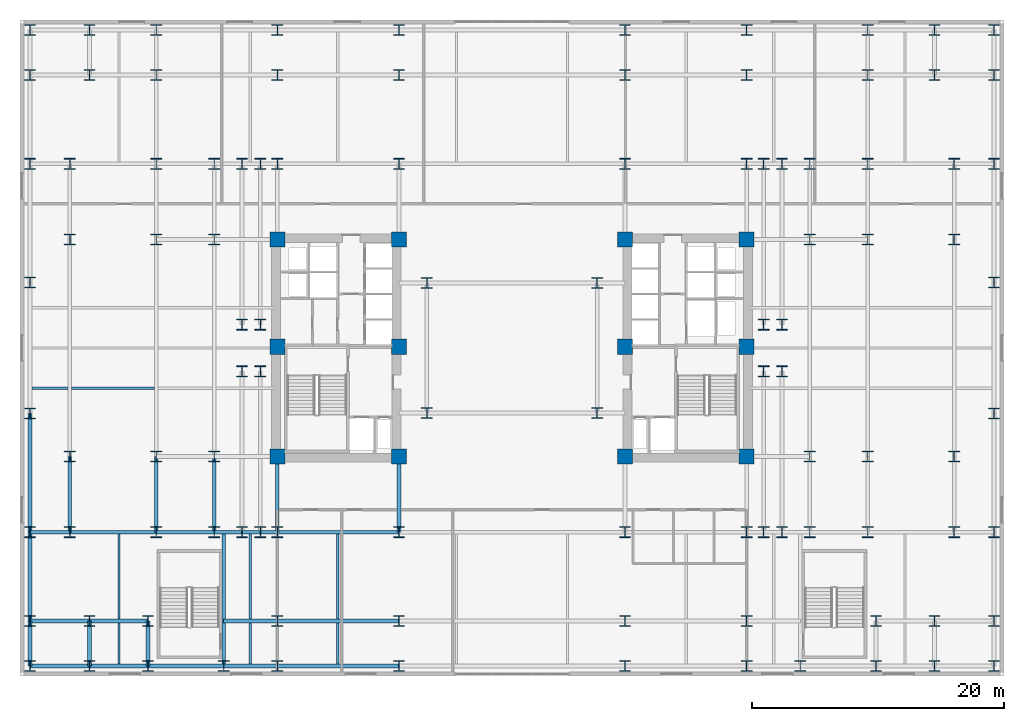
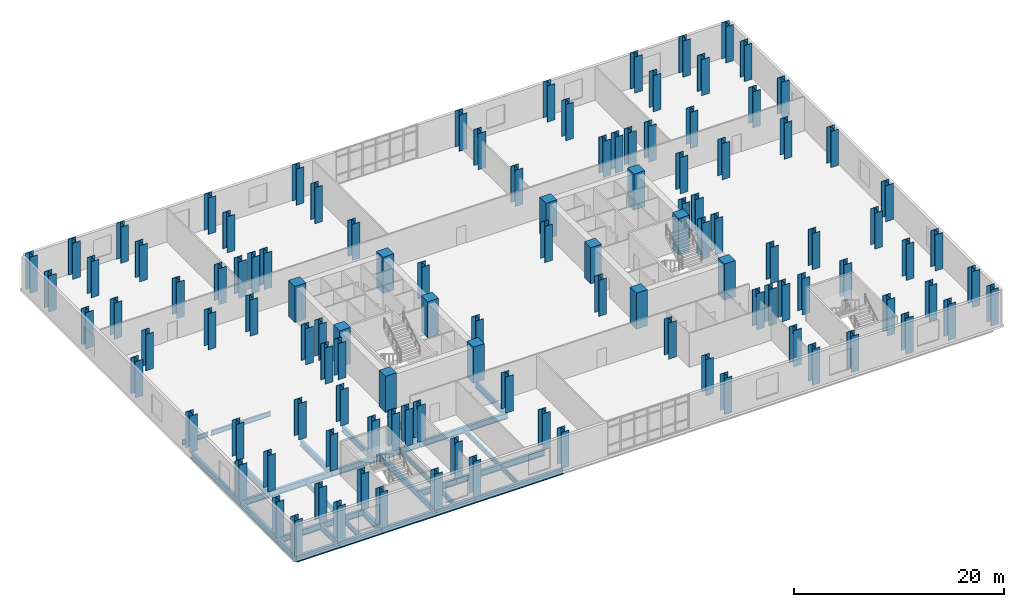
# One storey, part 1 of 13: 114 columns, 33 beams.
"""IFC4 building model written with IfcOpenShell, lengths in metres."""

from ifc_helpers import new_model, si_unit, direction, frame, origin, origin_2d, place, context, subcontext, project, spatial, rectangle, i_section, extrude, material, material_profile, profile_set, type_object, element, save


model = new_model("IFC4")

# Units and contexts
model_context = context("Model", 3, precision=1e-05, world=origin(), true_north=direction((0.0, 1.0)))
body_context = subcontext(model_context, "Body", "Model", "MODEL_VIEW")
ifc_project = project(units=[si_unit("LENGTHUNIT", "METRE"), si_unit("AREAUNIT", "SQUARE_METRE"), si_unit("VOLUMEUNIT", "CUBIC_METRE"), si_unit("PLANEANGLEUNIT", "RADIAN"), si_unit("MASSUNIT", "GRAM", prefix="KILO")], contexts=[model_context])

# Site, building, storey
site_placement = place(None, origin())
site = spatial("IfcSite", under=ifc_project, at=site_placement, CompositionType="ELEMENT")
building_placement = place(site_placement, origin())
building = spatial("IfcBuilding", under=site, at=building_placement, Name="Velakula Bourse", CompositionType="ELEMENT")
storey_placement = place(building_placement, frame((0.0, 0.0, 18.60009765625)))
storey = spatial("IfcBuildingStorey", under=building, at=storey_placement, Name="L04", CompositionType="ELEMENT", Elevation=18.60009765625)

# Columns
ifc_material_1 = material(Name="Concrete M70 (fck 70 MPa)", Category="concrete")
ifc_material_profile_1 = material_profile(ifc_material_1, rectangle(XDim=1.199951171875, YDim=1.199951171875, at=origin_2d()), Name="Concrete M70 (fck 70 MPa)")
ifc_profile_set_1 = profile_set([ifc_material_profile_1], Name="Concrete M70 (fck 70 MPa)")
column_type_1 = type_object("IfcColumnType", Name="COL-RC-1200", PredefinedType="COLUMN", material=ifc_profile_set_1)
for number, where, z_axis, x_axis, name in (
    (1, (-8.949951171875, -8.60009765625, 0.0), (0.0, 0.0, 1.0), (1.0, 0.0, 0.0), "L04 Core Boundary Column 01"),
    (2, (-8.949951171875, 0.10009765625, 0.0), (0.0, 0.0, 1.0), (1.0, 0.0, 0.0), "L04 Core Boundary Column 02"),
    (3, (-8.949951171875, 8.60009765625, 0.0), (0.0, 0.0, 1.0), (1.0, 0.0, 0.0), "L04 Core Boundary Column 03"),
    (4, (-18.60009765625, -8.60009765625, 0.0), (0.0, 0.0, 1.0), (1.0, 0.0, 0.0), "L04 Core Boundary Column 04"),
    (5, (-18.60009765625, 0.10009765625, 0.0), (0.0, 0.0, 1.0), (1.0, 0.0, 0.0), "L04 Core Boundary Column 05"),
    (6, (-18.60009765625, 8.60009765625, 0.0), (0.0, 0.0, 1.0), (1.0, 0.0, 0.0), "L04 Core Boundary Column 06"),
    (7, (8.949951171875, -8.60009765625, 0.0), (0.0, 0.0, 1.0), (1.0, 0.0, 0.0), "L04 Core Boundary Column 07"),
    (8, (8.949951171875, 0.10009765625, 0.0), (0.0, 0.0, 1.0), (1.0, 0.0, 0.0), "L04 Core Boundary Column 08"),
    (9, (8.949951171875, 8.60009765625, 0.0), (0.0, 0.0, 1.0), (1.0, 0.0, 0.0), "L04 Core Boundary Column 09"),
    (10, (18.60009765625, -8.60009765625, 0.0), (0.0, 0.0, 1.0), (1.0, 0.0, 0.0), "L04 Core Boundary Column 10"),
    (11, (18.60009765625, 0.10009765625, 0.0), (0.0, 0.0, 1.0), (1.0, 0.0, 0.0), "L04 Core Boundary Column 11"),
    (12, (18.60009765625, 8.60009765625, 0.0), (0.0, 0.0, 1.0), (1.0, 0.0, 0.0), "L04 Core Boundary Column 12"),
):
    element("IfcColumn", number, at=place(storey_placement, frame(where, z_axis=z_axis, x_axis=x_axis)), inside=storey, type_object=column_type_1, Name=name, PredefinedType="COLUMN", context=body_context, shape_type="SweptSolid", body=[
        extrude(rectangle(XDim=1.199951171875, YDim=1.199951171875, at=origin_2d()), origin(), (0.0, 0.0, 1.0), 4.199951171875),
    ])
ifc_material_2 = material(Name="Steel IS 2062 Grade 450 (E450)", Category="steel")
ifc_material_profile_2 = material_profile(ifc_material_2, i_section(OverallWidth=0.85009765625, OverallDepth=0.85009765625, WebThickness=0.031982421875, FlangeThickness=0.048095703125, at=origin_2d()), Name="Steel IS 2062 Grade 450 (E450)")
ifc_profile_set_2 = profile_set([ifc_material_profile_2], Name="Steel IS 2062 Grade 450 (E450)")
column_type_2 = type_object("IfcColumnType", Name="COL-STL-850", PredefinedType="COLUMN", material=ifc_profile_set_2)
for number, where, z_axis, x_axis, name in (
    (13, (-6.75, -5.14990234375, 0.0), (0.0, 0.0, 1.0), (1.0, 0.0, 0.0), "L04 Central Spine Column 01"),
    (14, (-6.75, 5.14990234375, 0.0), (0.0, 0.0, 1.0), (1.0, 0.0, 0.0), "L04 Central Spine Column 02"),
    (15, (6.75, -5.14990234375, 0.0), (0.0, 0.0, 1.0), (1.0, 0.0, 0.0), "L04 Central Spine Column 03"),
    (16, (6.75, 5.14990234375, 0.0), (0.0, 0.0, 1.0), (1.0, 0.0, 0.0), "L04 Central Spine Column 04"),
    (17, (-21.39990234375, -14.60009765625, 0.0), (0.0, 0.0, 1.0), (1.0, 0.0, 0.0), "L04 Tower Fulcrum Column 01"),
    (18, (-21.39990234375, 14.60009765625, 0.0), (0.0, 0.0, 1.0), (1.0, 0.0, 0.0), "L04 Tower Fulcrum Column 02"),
    (19, (-19.949951171875, -14.60009765625, 0.0), (0.0, 0.0, 1.0), (1.0, 0.0, 0.0), "L04 Tower Fulcrum Column 03"),
    (20, (-19.949951171875, 14.60009765625, 0.0), (0.0, 0.0, 1.0), (1.0, 0.0, 0.0), "L04 Tower Fulcrum Column 04"),
    (21, (-18.60009765625, -14.60009765625, 0.0), (0.0, 0.0, 1.0), (1.0, 0.0, 0.0), "L04 Tower Fulcrum Column 05"),
    (22, (-18.60009765625, 14.60009765625, 0.0), (0.0, 0.0, 1.0), (1.0, 0.0, 0.0), "L04 Tower Fulcrum Column 06"),
    (23, (-8.949951171875, -14.60009765625, 0.0), (0.0, 0.0, 1.0), (1.0, 0.0, 0.0), "L04 Tower Fulcrum Column 07"),
    (24, (-8.949951171875, 14.60009765625, 0.0), (0.0, 0.0, 1.0), (1.0, 0.0, 0.0), "L04 Tower Fulcrum Column 08"),
    (25, (8.949951171875, -14.60009765625, 0.0), (0.0, 0.0, 1.0), (1.0, 0.0, 0.0), "L04 Tower Fulcrum Column 09"),
    (26, (8.949951171875, 14.60009765625, 0.0), (0.0, 0.0, 1.0), (1.0, 0.0, 0.0), "L04 Tower Fulcrum Column 10"),
    (27, (18.60009765625, -14.60009765625, 0.0), (0.0, 0.0, 1.0), (1.0, 0.0, 0.0), "L04 Tower Fulcrum Column 11"),
    (28, (18.60009765625, 14.60009765625, 0.0), (0.0, 0.0, 1.0), (1.0, 0.0, 0.0), "L04 Tower Fulcrum Column 12"),
    (29, (19.949951171875, -14.60009765625, 0.0), (0.0, 0.0, 1.0), (1.0, 0.0, 0.0), "L04 Tower Fulcrum Column 13"),
    (30, (19.949951171875, 14.60009765625, 0.0), (0.0, 0.0, 1.0), (1.0, 0.0, 0.0), "L04 Tower Fulcrum Column 14"),
    (31, (21.39990234375, -14.60009765625, 0.0), (0.0, 0.0, 1.0), (1.0, 0.0, 0.0), "L04 Tower Fulcrum Column 15"),
    (32, (21.39990234375, 14.60009765625, 0.0), (0.0, 0.0, 1.0), (1.0, 0.0, 0.0), "L04 Tower Fulcrum Column 16"),
    (33, (-21.39990234375, -1.85009765625, 0.0), (0.0, 0.0, 1.0), (1.0, 0.0, 0.0), "L04 Tower Fulcrum Column 17"),
    (34, (-21.39990234375, 1.85009765625, 0.0), (0.0, 0.0, 1.0), (1.0, 0.0, 0.0), "L04 Tower Fulcrum Column 18"),
    (35, (-19.949951171875, -1.85009765625, 0.0), (0.0, 0.0, 1.0), (1.0, 0.0, 0.0), "L04 Tower Fulcrum Column 19"),
    (36, (-19.949951171875, 1.85009765625, 0.0), (0.0, 0.0, 1.0), (1.0, 0.0, 0.0), "L04 Tower Fulcrum Column 20"),
    (37, (19.949951171875, -1.85009765625, 0.0), (0.0, 0.0, 1.0), (1.0, 0.0, 0.0), "L04 Tower Fulcrum Column 21"),
    (38, (19.949951171875, 1.85009765625, 0.0), (0.0, 0.0, 1.0), (1.0, 0.0, 0.0), "L04 Tower Fulcrum Column 22"),
    (39, (21.39990234375, -1.85009765625, 0.0), (0.0, 0.0, 1.0), (1.0, 0.0, 0.0), "L04 Tower Fulcrum Column 23"),
    (40, (21.39990234375, 1.85009765625, 0.0), (0.0, 0.0, 1.0), (1.0, 0.0, 0.0), "L04 Tower Fulcrum Column 24"),
    (41, (-23.60009765625, -14.60009765625, 0.0), (0.0, 0.0, 1.0), (1.0, 0.0, 0.0), "L04 Mid-Wing Plumb Column 01"),
    (42, (-23.60009765625, -8.60009765625, 0.0), (0.0, 0.0, 1.0), (1.0, 0.0, 0.0), "L04 Mid-Wing Plumb Column 02"),
    (43, (-23.60009765625, 8.60009765625, 0.0), (0.0, 0.0, 1.0), (1.0, 0.0, 0.0), "L04 Mid-Wing Plumb Column 03"),
    (44, (-23.60009765625, 14.60009765625, 0.0), (0.0, 0.0, 1.0), (1.0, 0.0, 0.0), "L04 Mid-Wing Plumb Column 04"),
    (45, (23.60009765625, -14.60009765625, 0.0), (0.0, 0.0, 1.0), (1.0, 0.0, 0.0), "L04 Mid-Wing Plumb Column 05"),
    (46, (23.60009765625, -8.60009765625, 0.0), (0.0, 0.0, 1.0), (1.0, 0.0, 0.0), "L04 Mid-Wing Plumb Column 06"),
    (47, (23.60009765625, 8.60009765625, 0.0), (0.0, 0.0, 1.0), (1.0, 0.0, 0.0), "L04 Mid-Wing Plumb Column 07"),
    (48, (23.60009765625, 14.60009765625, 0.0), (0.0, 0.0, 1.0), (1.0, 0.0, 0.0), "L04 Mid-Wing Plumb Column 08"),
    (49, (-28.199951171875, -14.60009765625, 0.0), (0.0, 0.0, 1.0), (1.0, 0.0, 0.0), "L04 Lower Wing Column 01"),
    (50, (-28.199951171875, -8.60009765625, 0.0), (0.0, 0.0, 1.0), (1.0, 0.0, 0.0), "L04 Lower Wing Column 02"),
    (51, (-28.199951171875, 8.60009765625, 0.0), (0.0, 0.0, 1.0), (1.0, 0.0, 0.0), "L04 Lower Wing Column 03"),
    (52, (-28.199951171875, 14.60009765625, 0.0), (0.0, 0.0, 1.0), (1.0, 0.0, 0.0), "L04 Lower Wing Column 04"),
    (53, (28.199951171875, -14.60009765625, 0.0), (0.0, 0.0, 1.0), (1.0, 0.0, 0.0), "L04 Lower Wing Column 05"),
    (54, (28.199951171875, -8.60009765625, 0.0), (0.0, 0.0, 1.0), (1.0, 0.0, 0.0), "L04 Lower Wing Column 06"),
    (55, (28.199951171875, 8.60009765625, 0.0), (0.0, 0.0, 1.0), (1.0, 0.0, 0.0), "L04 Lower Wing Column 07"),
    (56, (28.199951171875, 14.60009765625, 0.0), (0.0, 0.0, 1.0), (1.0, 0.0, 0.0), "L04 Lower Wing Column 08"),
    (57, (-35.050048828125, -14.60009765625, 0.0), (0.0, 0.0, 1.0), (1.0, 0.0, 0.0), "L04 Station Podium Grid Column 01"),
    (58, (-35.050048828125, -8.60009765625, 0.0), (0.0, 0.0, 1.0), (1.0, 0.0, 0.0), "L04 Station Podium Grid Column 02"),
    (59, (-35.050048828125, 8.60009765625, 0.0), (0.0, 0.0, 1.0), (1.0, 0.0, 0.0), "L04 Station Podium Grid Column 03"),
    (60, (-35.050048828125, 14.60009765625, 0.0), (0.0, 0.0, 1.0), (1.0, 0.0, 0.0), "L04 Station Podium Grid Column 04"),
    (61, (35.050048828125, -14.60009765625, 0.0), (0.0, 0.0, 1.0), (1.0, 0.0, 0.0), "L04 Station Podium Grid Column 05"),
    (62, (35.050048828125, -8.60009765625, 0.0), (0.0, 0.0, 1.0), (1.0, 0.0, 0.0), "L04 Station Podium Grid Column 06"),
    (63, (35.050048828125, 8.60009765625, 0.0), (0.0, 0.0, 1.0), (1.0, 0.0, 0.0), "L04 Station Podium Grid Column 07"),
    (64, (35.050048828125, 14.60009765625, 0.0), (0.0, 0.0, 1.0), (1.0, 0.0, 0.0), "L04 Station Podium Grid Column 08"),
    (65, (-38.199951171875, -21.64990234375, 0.0), (0.0, 0.0, 1.0), (1.0, 0.0, 0.0), "L04 Station Podium Grid Column 09"),
    (66, (-38.199951171875, 21.64990234375, 0.0), (0.0, 0.0, 1.0), (1.0, 0.0, 0.0), "L04 Station Podium Grid Column 10"),
    (67, (-33.5, -21.64990234375, 0.0), (0.0, 0.0, 1.0), (1.0, 0.0, 0.0), "L04 Station Podium Grid Column 11"),
    (68, (-33.5, 21.64990234375, 0.0), (0.0, 0.0, 1.0), (1.0, 0.0, 0.0), "L04 Station Podium Grid Column 12"),
    (69, (-28.85009765625, -21.64990234375, 0.0), (0.0, 0.0, 1.0), (1.0, 0.0, 0.0), "L04 Station Podium Grid Column 13"),
    (70, (-28.199951171875, 21.64990234375, 0.0), (0.0, 0.0, 1.0), (1.0, 0.0, 0.0), "L04 Station Podium Grid Column 14"),
    (71, (-18.60009765625, -21.64990234375, 0.0), (0.0, 0.0, 1.0), (1.0, 0.0, 0.0), "L04 Station Podium Grid Column 15"),
    (72, (-18.60009765625, 21.64990234375, 0.0), (0.0, 0.0, 1.0), (1.0, 0.0, 0.0), "L04 Station Podium Grid Column 16"),
    (73, (-8.949951171875, -21.64990234375, 0.0), (0.0, 0.0, 1.0), (1.0, 0.0, 0.0), "L04 Station Podium Grid Column 17"),
    (74, (-8.949951171875, 21.64990234375, 0.0), (0.0, 0.0, 1.0), (1.0, 0.0, 0.0), "L04 Station Podium Grid Column 18"),
    (75, (8.949951171875, -21.64990234375, 0.0), (0.0, 0.0, 1.0), (1.0, 0.0, 0.0), "L04 Station Podium Grid Column 19"),
    (76, (8.949951171875, 21.64990234375, 0.0), (0.0, 0.0, 1.0), (1.0, 0.0, 0.0), "L04 Station Podium Grid Column 20"),
    (77, (18.60009765625, -21.64990234375, 0.0), (0.0, 0.0, 1.0), (1.0, 0.0, 0.0), "L04 Station Podium Grid Column 21"),
    (78, (18.60009765625, 21.64990234375, 0.0), (0.0, 0.0, 1.0), (1.0, 0.0, 0.0), "L04 Station Podium Grid Column 22"),
    (79, (28.85009765625, -21.64990234375, 0.0), (0.0, 0.0, 1.0), (1.0, 0.0, 0.0), "L04 Station Podium Grid Column 23"),
    (80, (28.199951171875, 21.64990234375, 0.0), (0.0, 0.0, 1.0), (1.0, 0.0, 0.0), "L04 Station Podium Grid Column 24"),
    (81, (33.5, -21.64990234375, 0.0), (0.0, 0.0, 1.0), (1.0, 0.0, 0.0), "L04 Station Podium Grid Column 25"),
    (82, (33.5, 21.64990234375, 0.0), (0.0, 0.0, 1.0), (1.0, 0.0, 0.0), "L04 Station Podium Grid Column 26"),
    (83, (38.199951171875, -21.64990234375, 0.0), (0.0, 0.0, 1.0), (1.0, 0.0, 0.0), "L04 Station Podium Grid Column 27"),
    (84, (38.199951171875, 21.64990234375, 0.0), (0.0, 0.0, 1.0), (1.0, 0.0, 0.0), "L04 Station Podium Grid Column 28"),
    (85, (-38.199951171875, -25.199951171875, 0.0), (0.0, 0.0, 1.0), (1.0, 0.0, 0.0), "L04 Station Podium Grid Column 29"),
    (86, (-38.199951171875, 25.199951171875, 0.0), (0.0, 0.0, 1.0), (1.0, 0.0, 0.0), "L04 Station Podium Grid Column 30"),
    (87, (-33.5, -25.199951171875, 0.0), (0.0, 0.0, 1.0), (1.0, 0.0, 0.0), "L04 Station Podium Grid Column 31"),
    (88, (-33.5, 25.199951171875, 0.0), (0.0, 0.0, 1.0), (1.0, 0.0, 0.0), "L04 Station Podium Grid Column 32"),
    (89, (-28.85009765625, -25.199951171875, 0.0), (0.0, 0.0, 1.0), (1.0, 0.0, 0.0), "L04 Station Podium Grid Column 33"),
    (90, (-28.199951171875, 25.199951171875, 0.0), (0.0, 0.0, 1.0), (1.0, 0.0, 0.0), "L04 Station Podium Grid Column 34"),
    (91, (-22.85009765625, -25.199951171875, 0.0), (0.0, 0.0, 1.0), (1.0, 0.0, 0.0), "L04 Station Podium Grid Column 35"),
    (92, (22.85009765625, -25.199951171875, 0.0), (0.0, 0.0, 1.0), (1.0, 0.0, 0.0), "L04 Station Podium Grid Column 36"),
    (93, (-18.60009765625, -25.199951171875, 0.0), (0.0, 0.0, 1.0), (1.0, 0.0, 0.0), "L04 Station Podium Grid Column 39"),
    (94, (-18.60009765625, 25.199951171875, 0.0), (0.0, 0.0, 1.0), (1.0, 0.0, 0.0), "L04 Station Podium Grid Column 40"),
    (95, (-8.949951171875, -25.199951171875, 0.0), (0.0, 0.0, 1.0), (1.0, 0.0, 0.0), "L04 Station Podium Grid Column 41"),
    (96, (-8.949951171875, 25.199951171875, 0.0), (0.0, 0.0, 1.0), (1.0, 0.0, 0.0), "L04 Station Podium Grid Column 42"),
    (97, (8.949951171875, -25.199951171875, 0.0), (0.0, 0.0, 1.0), (1.0, 0.0, 0.0), "L04 Station Podium Grid Column 43"),
    (98, (8.949951171875, 25.199951171875, 0.0), (0.0, 0.0, 1.0), (1.0, 0.0, 0.0), "L04 Station Podium Grid Column 44"),
    (99, (18.60009765625, -25.199951171875, 0.0), (0.0, 0.0, 1.0), (1.0, 0.0, 0.0), "L04 Station Podium Grid Column 45"),
    (100, (18.60009765625, 25.199951171875, 0.0), (0.0, 0.0, 1.0), (1.0, 0.0, 0.0), "L04 Station Podium Grid Column 46"),
    (101, (28.85009765625, -25.199951171875, 0.0), (0.0, 0.0, 1.0), (1.0, 0.0, 0.0), "L04 Station Podium Grid Column 47"),
    (102, (28.199951171875, 25.199951171875, 0.0), (0.0, 0.0, 1.0), (1.0, 0.0, 0.0), "L04 Station Podium Grid Column 48"),
    (103, (33.5, -25.199951171875, 0.0), (0.0, 0.0, 1.0), (1.0, 0.0, 0.0), "L04 Station Podium Grid Column 49"),
    (104, (33.5, 25.199951171875, 0.0), (0.0, 0.0, 1.0), (1.0, 0.0, 0.0), "L04 Station Podium Grid Column 50"),
    (105, (38.199951171875, -25.199951171875, 0.0), (0.0, 0.0, 1.0), (1.0, 0.0, 0.0), "L04 Station Podium Grid Column 51"),
    (106, (38.199951171875, 25.199951171875, 0.0), (0.0, 0.0, 1.0), (1.0, 0.0, 0.0), "L04 Station Podium Grid Column 52"),
    (107, (-38.199951171875, -14.60009765625, 0.0), (0.0, 0.0, 1.0), (1.0, 0.0, 0.0), "L04 Station Podium Grid Column 53"),
    (108, (-38.199951171875, -5.199951171875, 0.0), (0.0, 0.0, 1.0), (1.0, 0.0, 0.0), "L04 Station Podium Grid Column 54"),
    (109, (-38.199951171875, 5.199951171875, 0.0), (0.0, 0.0, 1.0), (1.0, 0.0, 0.0), "L04 Station Podium Grid Column 55"),
    (110, (-38.199951171875, 14.60009765625, 0.0), (0.0, 0.0, 1.0), (1.0, 0.0, 0.0), "L04 Station Podium Grid Column 56"),
    (111, (38.199951171875, -14.60009765625, 0.0), (0.0, 0.0, 1.0), (1.0, 0.0, 0.0), "L04 Station Podium Grid Column 57"),
    (112, (38.199951171875, -5.199951171875, 0.0), (0.0, 0.0, 1.0), (1.0, 0.0, 0.0), "L04 Station Podium Grid Column 58"),
    (113, (38.199951171875, 5.199951171875, 0.0), (0.0, 0.0, 1.0), (1.0, 0.0, 0.0), "L04 Station Podium Grid Column 59"),
    (114, (38.199951171875, 14.60009765625, 0.0), (0.0, 0.0, 1.0), (1.0, 0.0, 0.0), "L04 Station Podium Grid Column 60"),
):
    element("IfcColumn", number, at=place(storey_placement, frame(where, z_axis=z_axis, x_axis=x_axis)), inside=storey, type_object=column_type_2, Name=name, PredefinedType="COLUMN", context=body_context, shape_type="SweptSolid", body=[
        extrude(i_section(OverallWidth=0.85009765625, OverallDepth=0.85009765625, WebThickness=0.031982421875, FlangeThickness=0.048095703125, at=origin_2d()), origin(), (0.0, 0.0, 1.0), 4.199951171875),
    ])

# Beams
ifc_material_3 = material(Name="Steel IS 2062 Grade 350 (E350)", Category="steel")
ifc_material_profile_3 = material_profile(ifc_material_3, i_section(OverallWidth=0.300048828125, OverallDepth=0.699951171875, WebThickness=0.01611328125, FlangeThickness=0.02490234375, at=origin_2d()), Name="Steel IS 2062 Grade 350 (E350)")
ifc_profile_set_3 = profile_set([ifc_material_profile_3], Name="Steel IS 2062 Grade 350 (E350)")
beam_type_1 = type_object("IfcBeamType", Name="BM-POD-700", PredefinedType="BEAM", material=ifc_profile_set_3)
for number, where, z_axis, x_axis, name in (
    (115, (-18.60009765625, -14.60009765625, -0.60009765625), (0.0, 1.0, 0.0), (-1.0, 0.0, 0.0), "L04 Fulcrum Grid Girder FLC-WS"),
    (116, (-8.949951171875, -14.60009765625, -0.60009765625), (0.0, 1.0, 0.0), (-1.0, 0.0, 0.0), "L04 Fulcrum Grid Girder FLC-WCS"),
):
    element("IfcBeam", number, at=place(storey_placement, frame(where, z_axis=z_axis, x_axis=x_axis)), inside=storey, type_object=beam_type_1, Name=name, PredefinedType="BEAM", context=body_context, shape_type="SweptSolid", body=[
        extrude(i_section(OverallWidth=0.300048828125, OverallDepth=0.699951171875, WebThickness=0.01611328125, FlangeThickness=0.02490234375, at=origin_2d()), origin(), (0.0, 0.0, 1.0), 6.0),
    ])
beam_1_placement = place(storey_placement, frame((-18.60009765625, -14.60009765625, -0.60009765625), z_axis=(1.0, 0.0, 0.0), x_axis=(0.0, 1.0, 0.0)))
element("IfcBeam", 117, at=beam_1_placement, inside=storey, type_object=beam_type_1, Name="L04 Fulcrum Grid Girder FLC-S1", PredefinedType="BEAM", context=body_context, shape_type="SweptSolid", body=[
    extrude(i_section(OverallWidth=0.300048828125, OverallDepth=0.699951171875, WebThickness=0.01611328125, FlangeThickness=0.02490234375, at=origin_2d()), origin(), (0.0, 0.0, 1.0), 9.650146484375),
])
beam_2_placement = place(storey_placement, frame((-23.60009765625, -14.60009765625, -0.60009765625), z_axis=(1.0, 0.0, 0.0), x_axis=(0.0, 1.0, 0.0)))
element("IfcBeam", 118, at=beam_2_placement, inside=storey, type_object=beam_type_1, Name="L04 Fulcrum Grid Girder MWG-WS1", PredefinedType="BEAM", context=body_context, shape_type="SweptSolid", body=[
    extrude(i_section(OverallWidth=0.300048828125, OverallDepth=0.699951171875, WebThickness=0.01611328125, FlangeThickness=0.02490234375, at=origin_2d()), origin(), (0.0, 0.0, 1.0), 5.0),
])
beam_3_placement = place(storey_placement, frame((-23.60009765625, -14.60009765625, -0.60009765625), z_axis=(0.0, 1.0, 0.0), x_axis=(-1.0, 0.0, 0.0)))
element("IfcBeam", 119, at=beam_3_placement, inside=storey, type_object=beam_type_1, Name="L04 Fulcrum Grid Girder MWG-WNS1", PredefinedType="BEAM", context=body_context, shape_type="SweptSolid", body=[
    extrude(i_section(OverallWidth=0.300048828125, OverallDepth=0.699951171875, WebThickness=0.01611328125, FlangeThickness=0.02490234375, at=origin_2d()), origin(), (0.0, 0.0, 1.0), 6.0),
])
beam_4_placement = place(storey_placement, frame((-28.199951171875, -14.60009765625, -0.60009765625), z_axis=(1.0, 0.0, 0.0), x_axis=(0.0, 1.0, 0.0)))
element("IfcBeam", 120, at=beam_4_placement, inside=storey, type_object=beam_type_1, Name="L04 Fulcrum Grid Girder WNG-WS1", PredefinedType="BEAM", context=body_context, shape_type="SweptSolid", body=[
    extrude(i_section(OverallWidth=0.300048828125, OverallDepth=0.699951171875, WebThickness=0.01611328125, FlangeThickness=0.02490234375, at=origin_2d()), origin(), (0.0, 0.0, 1.0), 4.599853515625),
])
beam_5_placement = place(storey_placement, frame((-28.199951171875, -14.60009765625, -0.60009765625), z_axis=(0.0, 1.0, 0.0), x_axis=(-1.0, 0.0, 0.0)))
element("IfcBeam", 121, at=beam_5_placement, inside=storey, type_object=beam_type_1, Name="L04 Fulcrum Grid Girder WNG-WNS1", PredefinedType="BEAM", context=body_context, shape_type="SweptSolid", body=[
    extrude(i_section(OverallWidth=0.300048828125, OverallDepth=0.699951171875, WebThickness=0.01611328125, FlangeThickness=0.02490234375, at=origin_2d()), origin(), (0.0, 0.0, 1.0), 6.0),
])
beam_6_placement = place(storey_placement, frame((-22.85009765625, -25.199951171875, -0.60009765625), z_axis=(0.0, 1.0, 0.0), x_axis=(-1.0, 0.0, 0.0)))
element("IfcBeam", 122, at=beam_6_placement, inside=storey, type_object=beam_type_1, Name="L04 Podium Stairwell Header Girder STW", PredefinedType="BEAM", context=body_context, shape_type="SweptSolid", body=[
    extrude(i_section(OverallWidth=0.300048828125, OverallDepth=0.699951171875, WebThickness=0.01611328125, FlangeThickness=0.02490234375, at=origin_2d()), origin(), (0.0, 0.0, 1.0), 10.599853515625),
])
beam_7_placement = place(storey_placement, frame((-38.199951171875, -25.199951171875, -0.60009765625), z_axis=(1.0, 0.0, 0.0), x_axis=(0.0, 1.0, 0.0)))
element("IfcBeam", 123, at=beam_7_placement, inside=storey, type_object=beam_type_1, Name="L04 Podium E-W Girder 01", PredefinedType="BEAM", context=body_context, shape_type="SweptSolid", body=[
    extrude(i_section(OverallWidth=0.300048828125, OverallDepth=0.699951171875, WebThickness=0.01611328125, FlangeThickness=0.02490234375, at=origin_2d()), origin(), (0.0, 0.0, 1.0), 4.699951171875),
])
beam_8_placement = place(storey_placement, frame((-33.5, -25.199951171875, -0.60009765625), z_axis=(1.0, 0.0, 0.0), x_axis=(0.0, 1.0, 0.0)))
element("IfcBeam", 124, at=beam_8_placement, inside=storey, type_object=beam_type_1, Name="L04 Podium E-W Girder 02", PredefinedType="BEAM", context=body_context, shape_type="SweptSolid", body=[
    extrude(i_section(OverallWidth=0.300048828125, OverallDepth=0.699951171875, WebThickness=0.01611328125, FlangeThickness=0.02490234375, at=origin_2d()), origin(), (0.0, 0.0, 1.0), 4.64990234375),
])
beam_9_placement = place(storey_placement, frame((-28.85009765625, -25.199951171875, -0.60009765625), z_axis=(1.0, 0.0, 0.0), x_axis=(0.0, 1.0, 0.0)))
element("IfcBeam", 125, at=beam_9_placement, inside=storey, type_object=beam_type_1, Name="L04 Podium E-W Girder 03", PredefinedType="BEAM", context=body_context, shape_type="SweptSolid", body=[
    extrude(i_section(OverallWidth=0.300048828125, OverallDepth=0.699951171875, WebThickness=0.01611328125, FlangeThickness=0.02490234375, at=origin_2d()), origin(), (0.0, 0.0, 1.0), 6.0),
])
beam_10_placement = place(storey_placement, frame((-22.85009765625, -25.199951171875, -0.60009765625), z_axis=(1.0, 0.0, 0.0), x_axis=(0.0, 1.0, 0.0)))
element("IfcBeam", 126, at=beam_10_placement, inside=storey, type_object=beam_type_1, Name="L04 Podium E-W Girder 04", PredefinedType="BEAM", context=body_context, shape_type="SweptSolid", body=[
    extrude(i_section(OverallWidth=0.300048828125, OverallDepth=0.699951171875, WebThickness=0.01611328125, FlangeThickness=0.02490234375, at=origin_2d()), origin(), (0.0, 0.0, 1.0), 4.25),
])
beam_11_placement = place(storey_placement, frame((-18.60009765625, -25.199951171875, -0.60009765625), z_axis=(1.0, 0.0, 0.0), x_axis=(0.0, 1.0, 0.0)))
element("IfcBeam", 127, at=beam_11_placement, inside=storey, type_object=beam_type_1, Name="L04 Podium E-W Girder 05", PredefinedType="BEAM", context=body_context, shape_type="SweptSolid", body=[
    extrude(i_section(OverallWidth=0.300048828125, OverallDepth=0.699951171875, WebThickness=0.01611328125, FlangeThickness=0.02490234375, at=origin_2d()), origin(), (0.0, 0.0, 1.0), 9.650146484375),
])
beam_12_placement = place(storey_placement, frame((-38.199951171875, -21.64990234375, -0.60009765625), z_axis=(1.0, 0.0, 0.0), x_axis=(0.0, 1.0, 0.0)))
element("IfcBeam", 128, at=beam_12_placement, inside=storey, type_object=beam_type_1, Name="L04 Podium E-W Girder 12", PredefinedType="BEAM", context=body_context, shape_type="SweptSolid", body=[
    extrude(i_section(OverallWidth=0.300048828125, OverallDepth=0.699951171875, WebThickness=0.01611328125, FlangeThickness=0.02490234375, at=origin_2d()), origin(), (0.0, 0.0, 1.0), 4.699951171875),
])
beam_13_placement = place(storey_placement, frame((-33.5, -21.64990234375, -0.60009765625), z_axis=(1.0, 0.0, 0.0), x_axis=(0.0, 1.0, 0.0)))
element("IfcBeam", 129, at=beam_13_placement, inside=storey, type_object=beam_type_1, Name="L04 Podium E-W Girder 13", PredefinedType="BEAM", context=body_context, shape_type="SweptSolid", body=[
    extrude(i_section(OverallWidth=0.300048828125, OverallDepth=0.699951171875, WebThickness=0.01611328125, FlangeThickness=0.02490234375, at=origin_2d()), origin(), (0.0, 0.0, 1.0), 4.64990234375),
])
beam_14_placement = place(storey_placement, frame((-22.85009765625, -21.64990234375, -0.60009765625), z_axis=(1.0, 0.0, 0.0), x_axis=(0.0, 1.0, 0.0)))
element("IfcBeam", 130, at=beam_14_placement, inside=storey, type_object=beam_type_1, Name="L04 Podium E-W Girder 14", PredefinedType="BEAM", context=body_context, shape_type="SweptSolid", body=[
    extrude(i_section(OverallWidth=0.300048828125, OverallDepth=0.699951171875, WebThickness=0.01611328125, FlangeThickness=0.02490234375, at=origin_2d()), origin(), (0.0, 0.0, 1.0), 4.25),
])
beam_15_placement = place(storey_placement, frame((-18.60009765625, -21.64990234375, -0.60009765625), z_axis=(1.0, 0.0, 0.0), x_axis=(0.0, 1.0, 0.0)))
element("IfcBeam", 131, at=beam_15_placement, inside=storey, type_object=beam_type_1, Name="L04 Podium E-W Girder 15", PredefinedType="BEAM", context=body_context, shape_type="SweptSolid", body=[
    extrude(i_section(OverallWidth=0.300048828125, OverallDepth=0.699951171875, WebThickness=0.01611328125, FlangeThickness=0.02490234375, at=origin_2d()), origin(), (0.0, 0.0, 1.0), 9.650146484375),
])
beam_16_placement = place(storey_placement, frame((-38.199951171875, -14.60009765625, -0.60009765625), z_axis=(1.0, 0.0, 0.0), x_axis=(0.0, 1.0, 0.0)))
element("IfcBeam", 132, at=beam_16_placement, inside=storey, type_object=beam_type_1, Name="L04 Podium E-W Girder 21", PredefinedType="BEAM", context=body_context, shape_type="SweptSolid", body=[
    extrude(i_section(OverallWidth=0.300048828125, OverallDepth=0.699951171875, WebThickness=0.01611328125, FlangeThickness=0.02490234375, at=origin_2d()), origin(), (0.0, 0.0, 1.0), 3.14990234375),
])
beam_17_placement = place(storey_placement, frame((-35.050048828125, -14.60009765625, -0.60009765625), z_axis=(1.0, 0.0, 0.0), x_axis=(0.0, 1.0, 0.0)))
element("IfcBeam", 133, at=beam_17_placement, inside=storey, type_object=beam_type_1, Name="L04 Podium E-W Girder 22", PredefinedType="BEAM", context=body_context, shape_type="SweptSolid", body=[
    extrude(i_section(OverallWidth=0.300048828125, OverallDepth=0.699951171875, WebThickness=0.01611328125, FlangeThickness=0.02490234375, at=origin_2d()), origin(), (0.0, 0.0, 1.0), 6.85009765625),
])
beam_18_placement = place(storey_placement, frame((-38.199951171875, -25.199951171875, -0.60009765625), z_axis=(0.0, 1.0, 0.0), x_axis=(-1.0, 0.0, 0.0)))
element("IfcBeam", 134, at=beam_18_placement, inside=storey, type_object=beam_type_1, Name="L04 Podium N-S Girder 65", PredefinedType="BEAM", context=body_context, shape_type="SweptSolid", body=[
    extrude(i_section(OverallWidth=0.300048828125, OverallDepth=0.699951171875, WebThickness=0.01611328125, FlangeThickness=0.02490234375, at=origin_2d()), origin(), (0.0, 0.0, 1.0), 3.550048828125),
])
beam_19_placement = place(storey_placement, frame((-38.199951171875, -21.64990234375, -0.60009765625), z_axis=(0.0, 1.0, 0.0), x_axis=(-1.0, 0.0, 0.0)))
element("IfcBeam", 135, at=beam_19_placement, inside=storey, type_object=beam_type_1, Name="L04 Podium N-S Girder 66", PredefinedType="BEAM", context=body_context, shape_type="SweptSolid", body=[
    extrude(i_section(OverallWidth=0.300048828125, OverallDepth=0.699951171875, WebThickness=0.01611328125, FlangeThickness=0.02490234375, at=origin_2d()), origin(), (0.0, 0.0, 1.0), 7.0498046875),
])
beam_20_placement = place(storey_placement, frame((-38.199951171875, -14.60009765625, -0.60009765625), z_axis=(0.0, 1.0, 0.0), x_axis=(-1.0, 0.0, 0.0)))
element("IfcBeam", 136, at=beam_20_placement, inside=storey, type_object=beam_type_1, Name="L04 Podium N-S Girder 67", PredefinedType="BEAM", context=body_context, shape_type="SweptSolid", body=[
    extrude(i_section(OverallWidth=0.300048828125, OverallDepth=0.699951171875, WebThickness=0.01611328125, FlangeThickness=0.02490234375, at=origin_2d()), origin(), (0.0, 0.0, 1.0), 9.400146484375),
])
beam_21_placement = place(storey_placement, frame((-35.050048828125, -14.60009765625, -0.60009765625), z_axis=(0.0, 1.0, 0.0), x_axis=(-1.0, 0.0, 0.0)))
element("IfcBeam", 137, at=beam_21_placement, inside=storey, type_object=beam_type_1, Name="L04 Podium N-S Girder 72", PredefinedType="BEAM", context=body_context, shape_type="SweptSolid", body=[
    extrude(i_section(OverallWidth=0.300048828125, OverallDepth=0.699951171875, WebThickness=0.01611328125, FlangeThickness=0.02490234375, at=origin_2d()), origin(), (0.0, 0.0, 1.0), 6.0),
])
for number, where, z_axis, x_axis, name in (
    (138, (-33.5, -25.199951171875, -0.60009765625), (0.0, 1.0, 0.0), (-1.0, 0.0, 0.0), "L04 Podium N-S Girder 75"),
    (139, (-28.85009765625, -25.199951171875, -0.60009765625), (0.0, 1.0, 0.0), (-1.0, 0.0, 0.0), "L04 Podium N-S Girder 76"),
):
    element("IfcBeam", number, at=place(storey_placement, frame(where, z_axis=z_axis, x_axis=x_axis)), inside=storey, type_object=beam_type_1, Name=name, PredefinedType="BEAM", context=body_context, shape_type="SweptSolid", body=[
        extrude(i_section(OverallWidth=0.300048828125, OverallDepth=0.699951171875, WebThickness=0.01611328125, FlangeThickness=0.02490234375, at=origin_2d()), origin(), (0.0, 0.0, 1.0), 3.550048828125),
    ])
ifc_material_profile_4 = material_profile(ifc_material_3, i_section(OverallWidth=0.18994140625, OverallDepth=0.550048828125, WebThickness=0.01123046875, FlangeThickness=0.019287109375, at=origin_2d()), Name="Steel IS 2062 Grade 350 (E350)")
ifc_profile_set_4 = profile_set([ifc_material_profile_4], Name="Steel IS 2062 Grade 350 (E350)")
beam_type_2 = type_object("IfcBeamType", Name="JST-POD-550", PredefinedType="JOIST", material=ifc_profile_set_4)
beam_22_placement = place(storey_placement, frame((-31.14990234375, -25.050048828125, -0.525146484375), z_axis=(0.0, 1.0, 0.0), x_axis=(-1.0, 0.0, 0.0)))
element("IfcBeam", 140, at=beam_22_placement, inside=storey, type_object=beam_type_2, Name="L04 Station Podium Floor Joist 01", PredefinedType="JOIST", context=body_context, shape_type="SweptSolid", body=[
    extrude(i_section(OverallWidth=0.18994140625, OverallDepth=0.550048828125, WebThickness=0.01123046875, FlangeThickness=0.019287109375, at=origin_2d()), origin(), (0.0, 0.0, 1.0), 3.25),
])
beam_23_placement = place(storey_placement, frame((-31.14990234375, -21.5, -0.525146484375), z_axis=(0.0, 1.0, 0.0), x_axis=(-1.0, 0.0, 0.0)))
element("IfcBeam", 141, at=beam_23_placement, inside=storey, type_object=beam_type_2, Name="L04 Station Podium Floor Joist 02", PredefinedType="JOIST", context=body_context, shape_type="SweptSolid", body=[
    extrude(i_section(OverallWidth=0.18994140625, OverallDepth=0.550048828125, WebThickness=0.01123046875, FlangeThickness=0.019287109375, at=origin_2d()), origin(), (0.0, 0.0, 1.0), 6.75),
])
beam_24_placement = place(storey_placement, frame((-20.75, -25.050048828125, -0.525146484375), z_axis=(0.0, 1.0, 0.0), x_axis=(-1.0, 0.0, 0.0)))
element("IfcBeam", 142, at=beam_24_placement, inside=storey, type_object=beam_type_2, Name="L04 Station Podium Floor Joist 05", PredefinedType="JOIST", context=body_context, shape_type="SweptSolid", body=[
    extrude(i_section(OverallWidth=0.18994140625, OverallDepth=0.550048828125, WebThickness=0.01123046875, FlangeThickness=0.019287109375, at=origin_2d()), origin(), (0.0, 0.0, 1.0), 3.25),
])
beam_25_placement = place(storey_placement, frame((-20.75, -21.5, -0.525146484375), z_axis=(0.0, 1.0, 0.0), x_axis=(-1.0, 0.0, 0.0)))
element("IfcBeam", 143, at=beam_25_placement, inside=storey, type_object=beam_type_2, Name="L04 Station Podium Floor Joist 06", PredefinedType="JOIST", context=body_context, shape_type="SweptSolid", body=[
    extrude(i_section(OverallWidth=0.18994140625, OverallDepth=0.550048828125, WebThickness=0.01123046875, FlangeThickness=0.019287109375, at=origin_2d()), origin(), (0.0, 0.0, 1.0), 6.75),
])
beam_26_placement = place(storey_placement, frame((-13.800048828125, -25.050048828125, -0.525146484375), z_axis=(0.0, 1.0, 0.0), x_axis=(-1.0, 0.0, 0.0)))
element("IfcBeam", 144, at=beam_26_placement, inside=storey, type_object=beam_type_2, Name="L04 Station Podium Floor Joist 09", PredefinedType="JOIST", context=body_context, shape_type="SweptSolid", body=[
    extrude(i_section(OverallWidth=0.18994140625, OverallDepth=0.550048828125, WebThickness=0.01123046875, FlangeThickness=0.019287109375, at=origin_2d()), origin(), (0.0, 0.0, 1.0), 3.25),
])
beam_27_placement = place(storey_placement, frame((-13.800048828125, -21.5, -0.525146484375), z_axis=(0.0, 1.0, 0.0), x_axis=(-1.0, 0.0, 0.0)))
element("IfcBeam", 145, at=beam_27_placement, inside=storey, type_object=beam_type_2, Name="L04 Station Podium Floor Joist 10", PredefinedType="JOIST", context=body_context, shape_type="SweptSolid", body=[
    extrude(i_section(OverallWidth=0.18994140625, OverallDepth=0.550048828125, WebThickness=0.01123046875, FlangeThickness=0.019287109375, at=origin_2d()), origin(), (0.0, 0.0, 1.0), 6.75),
])
beam_28_placement = place(storey_placement, frame((-38.050048828125, -3.199951171875, -0.525146484375), z_axis=(1.0, 0.0, 0.0), x_axis=(0.0, 1.0, 0.0)))
element("IfcBeam", 146, at=beam_28_placement, inside=storey, type_object=beam_type_2, Name="L04 Station Wing Floor Joist 33", PredefinedType="JOIST", context=body_context, shape_type="SweptSolid", body=[
    extrude(i_section(OverallWidth=0.18994140625, OverallDepth=0.550048828125, WebThickness=0.01123046875, FlangeThickness=0.019287109375, at=origin_2d()), origin(), (0.0, 0.0, 1.0), 2.85009765625),
])
beam_29_placement = place(storey_placement, frame((-34.89990234375, -3.199951171875, -0.525146484375), z_axis=(1.0, 0.0, 0.0), x_axis=(0.0, 1.0, 0.0)))
element("IfcBeam", 147, at=beam_29_placement, inside=storey, type_object=beam_type_2, Name="L04 Station Wing Floor Joist 34", PredefinedType="JOIST", context=body_context, shape_type="SweptSolid", body=[
    extrude(i_section(OverallWidth=0.18994140625, OverallDepth=0.550048828125, WebThickness=0.01123046875, FlangeThickness=0.019287109375, at=origin_2d()), origin(), (0.0, 0.0, 1.0), 6.5498046875),
])

save(model, "model.ifc")
